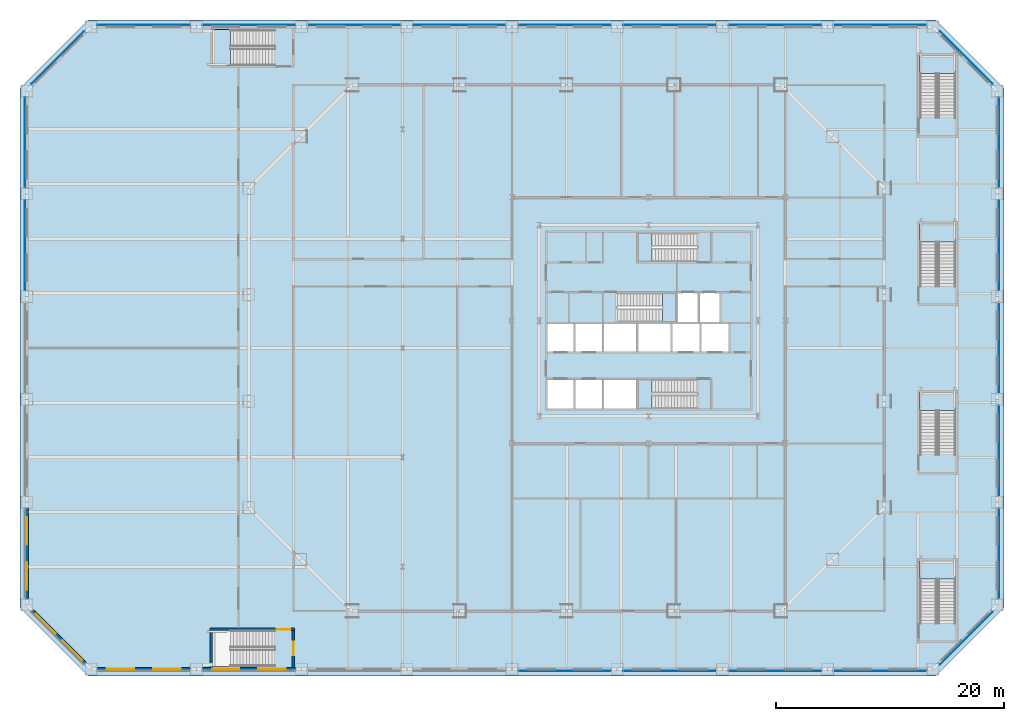
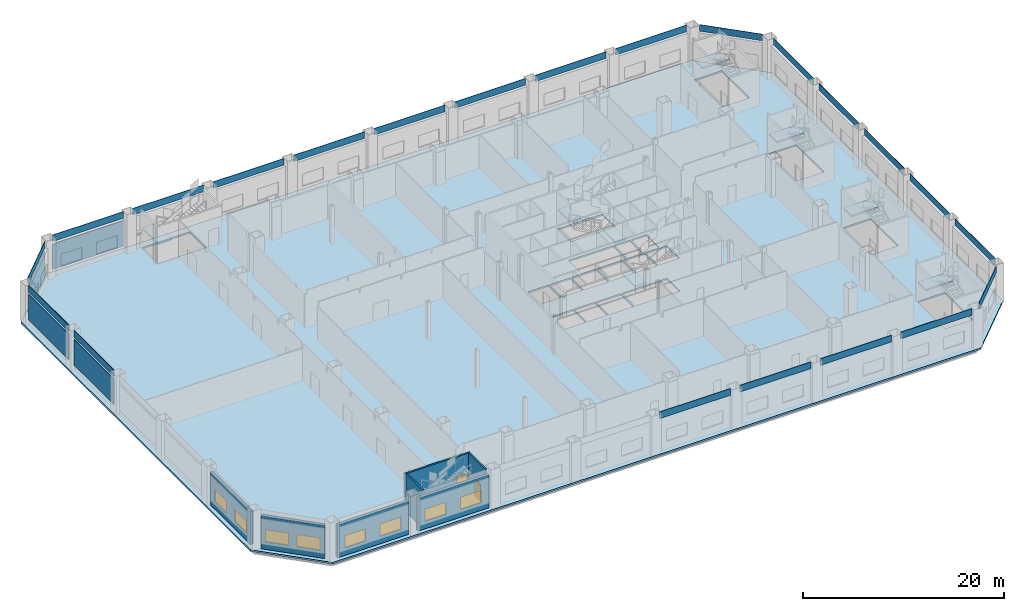
# One storey, part 11 of 26: 26 plates, 9 slabs, 8 windows, 7 walls, 2 doors, 10 openings, 8 elements without a shape of their own.
"""IFC4 building model written with IfcOpenShell, lengths in metres."""

from ifc_helpers import new_model, si_unit, direction, frame, frame_2d, origin, origin_2d, place, context, subcontext, project, spatial, polyline, rectangle, outline, extrude, material, layer, layer_set, type_object, element, fill, aggregate, save


model = new_model("IFC4")

# Units and contexts
model_context = context("Model", 3, precision=1e-05, world=origin(), true_north=direction((0.0, 1.0)))
body_context = subcontext(model_context, "Body", "Model", "MODEL_VIEW")
ifc_project = project(units=[si_unit("LENGTHUNIT", "METRE"), si_unit("AREAUNIT", "SQUARE_METRE"), si_unit("VOLUMEUNIT", "CUBIC_METRE"), si_unit("PLANEANGLEUNIT", "RADIAN"), si_unit("MASSUNIT", "GRAM", prefix="KILO")], contexts=[model_context])

# Site, building, storey
site_placement = place(None, origin())
site = spatial("IfcSite", under=ifc_project, at=site_placement, CompositionType="ELEMENT")
building_placement = place(site_placement, origin())
building = spatial("IfcBuilding", under=site, at=building_placement, Name="Cairn Pilgrim Tower", CompositionType="ELEMENT")
storey_placement = place(building_placement, frame((0.0, 0.0, 21.0)))
storey = spatial("IfcBuildingStorey", under=building, at=storey_placement, Name="L03", CompositionType="ELEMENT", Elevation=21.0)

# Plates
ifc_material_1 = material(Name="Bronze anodised aluminium", Category="aluminium")
ifc_layer_1 = layer(ifc_material_1, 0.050048828125)
ifc_layer_set_1 = layer_set([ifc_layer_1], Name="BRONZE FASCIA PANEL 50")
plate_type_1 = type_object("IfcPlateType", Name="BRONZE FASCIA PANEL 50", PredefinedType="SHEET", material=ifc_layer_set_1)
for number, where, z_axis, x_axis, name in (
    (1, (-0.18115234375, -28.375, 4.0), (0.0, 0.0, 1.0), (1.0, 0.0, 0.0), "FASCIA"),
    (2, (9.056884765625, -28.375, 4.0), (0.0, 0.0, 1.0), (1.0, 0.0, 0.0), "FASCIA"),
    (3, (18.294677734375, -28.375, 4.0), (0.0, 0.0, 1.0), (1.0, 0.0, 0.0), "FASCIA"),
    (4, (27.532470703125, -28.375, 4.0), (0.0, 0.0, 1.0), (1.0, 0.0, 0.0), "FASCIA"),
):
    element("IfcPlate", number, at=place(storey_placement, frame(where, z_axis=z_axis, x_axis=x_axis)), inside=storey, type_object=plate_type_1, Name=name, PredefinedType="SHEET", context=body_context, shape_type="SweptSolid", body=[
        extrude(rectangle(XDim=8.137939453125, YDim=0.050048828125, at=origin_2d()), origin(), (0.0, 0.0, 1.0), 0.800048828125),
    ])
plate_1_placement = place(storey_placement, frame((35.099609375, -25.49951171875, 4.0), z_axis=(0.0, 0.0, 1.0), x_axis=(0.707106781187, 0.707106781187, 0.0)))
element("IfcPlate", 5, at=plate_1_placement, inside=storey, type_object=plate_type_1, Name="FASCIA", PredefinedType="SHEET", context=body_context, shape_type="SweptSolid", body=[
    extrude(rectangle(XDim=6.50830078125, YDim=0.050048828125, at=origin_2d()), origin(), (0.0, 0.0, 1.0), 0.800048828125),
])
for number, where, z_axis, x_axis, name in (
    (6, (37.97509765625, -18.041259765625, 4.0), (0.0, 0.0, 1.0), (0.0, 1.0, 0.0), "FASCIA"),
    (7, (37.97509765625, -9.0205078125, 4.0), (0.0, 0.0, 1.0), (0.0, 1.0, 0.0), "FASCIA"),
    (8, (37.97509765625, 0.0, 4.0), (0.0, 0.0, 1.0), (0.0, 1.0, 0.0), "FASCIA"),
    (9, (37.97509765625, 9.0205078125, 4.0), (0.0, 0.0, 1.0), (0.0, 1.0, 0.0), "FASCIA"),
    (10, (37.97509765625, 18.041259765625, 4.0), (0.0, 0.0, 1.0), (0.0, 1.0, 0.0), "FASCIA"),
):
    element("IfcPlate", number, at=place(storey_placement, frame(where, z_axis=z_axis, x_axis=x_axis)), inside=storey, type_object=plate_type_1, Name=name, PredefinedType="SHEET", context=body_context, shape_type="SweptSolid", body=[
        extrude(rectangle(XDim=7.920654296875, YDim=0.050048828125, at=origin_2d()), origin(), (0.0, 0.0, 1.0), 0.800048828125),
    ])
plate_2_placement = place(storey_placement, frame((35.099609375, 25.49951171875, 4.0), z_axis=(0.0, 0.0, 1.0), x_axis=(-0.707106781187, 0.707106781187, 0.0)))
element("IfcPlate", 11, at=plate_2_placement, inside=storey, type_object=plate_type_1, Name="FASCIA", PredefinedType="SHEET", context=body_context, shape_type="SweptSolid", body=[
    extrude(rectangle(XDim=6.50830078125, YDim=0.050048828125, at=origin_2d()), origin(), (0.0, 0.0, 1.0), 0.800048828125),
])
for number, where, z_axis, x_axis, name in (
    (12, (27.532470703125, 28.375, 4.0), (0.0, 0.0, 1.0), (-1.0, 0.0, 0.0), "FASCIA"),
    (13, (18.294677734375, 28.375, 4.0), (0.0, 0.0, 1.0), (-1.0, 0.0, 0.0), "FASCIA"),
    (14, (9.056884765625, 28.375, 4.0), (0.0, 0.0, 1.0), (-1.0, 0.0, 0.0), "FASCIA"),
    (15, (-0.18115234375, 28.375, 4.0), (0.0, 0.0, 1.0), (-1.0, 0.0, 0.0), "FASCIA"),
    (16, (-9.4189453125, 28.375, 4.0), (0.0, 0.0, 1.0), (-1.0, 0.0, 0.0), "FASCIA"),
    (17, (-18.65673828125, 28.375, 4.0), (0.0, 0.0, 1.0), (-1.0, 0.0, 0.0), "FASCIA"),
    (18, (-27.894775390625, 28.375, 4.0), (0.0, 0.0, 1.0), (-1.0, 0.0, 0.0), "FASCIA"),
    (19, (-37.132568359375, 28.375, 4.0), (0.0, 0.0, 1.0), (-1.0, 0.0, 0.0), "FASCIA"),
):
    element("IfcPlate", number, at=place(storey_placement, frame(where, z_axis=z_axis, x_axis=x_axis)), inside=storey, type_object=plate_type_1, Name=name, PredefinedType="SHEET", context=body_context, shape_type="SweptSolid", body=[
        extrude(rectangle(XDim=8.137939453125, YDim=0.050048828125, at=origin_2d()), origin(), (0.0, 0.0, 1.0), 0.800048828125),
    ])
plate_3_placement = place(storey_placement, frame((-44.699462890625, 25.49951171875, 4.0), z_axis=(0.0, 0.0, 1.0), x_axis=(-0.707106781187, -0.707106781187, 0.0)))
element("IfcPlate", 20, at=plate_3_placement, inside=storey, type_object=plate_type_1, Name="FASCIA", PredefinedType="SHEET", context=body_context, shape_type="SweptSolid", body=[
    extrude(rectangle(XDim=6.50830078125, YDim=0.050048828125, at=origin_2d()), origin(), (0.0, 0.0, 1.0), 0.800048828125),
])
for number, where, z_axis, x_axis, name in (
    (21, (-47.574951171875, 18.041259765625, 4.0), (0.0, 0.0, 1.0), (0.0, -1.0, 0.0), "FASCIA"),
    (22, (-47.574951171875, 9.0205078125, 4.0), (0.0, 0.0, 1.0), (0.0, -1.0, 0.0), "FASCIA"),
):
    element("IfcPlate", number, at=place(storey_placement, frame(where, z_axis=z_axis, x_axis=x_axis)), inside=storey, type_object=plate_type_1, Name=name, PredefinedType="SHEET", context=body_context, shape_type="SweptSolid", body=[
        extrude(rectangle(XDim=7.920654296875, YDim=0.050048828125, at=origin_2d()), origin(), (0.0, 0.0, 1.0), 0.800048828125),
    ])
ifc_material_2 = material(Name="Perforated bronze anodised aluminium", Category="aluminium")
ifc_layer_2 = layer(ifc_material_2, 0.050048828125)
ifc_layer_set_2 = layer_set([ifc_layer_2], Name="COBOGO SCREEN 50 BRONZE")
plate_type_2 = type_object("IfcPlateType", Name="COBOGO SCREEN 50 BRONZE", PredefinedType="SHEET", material=ifc_layer_set_2)
plate_4_placement = place(storey_placement, frame((-37.132568359375, 28.375, 0.599853515625), z_axis=(0.0, 0.0, 1.0), x_axis=(-1.0, 0.0, 0.0)))
element("IfcPlate", 23, at=plate_4_placement, inside=storey, type_object=plate_type_2, Name="SCREEN", PredefinedType="SHEET", context=body_context, shape_type="SweptSolid", body=[
    extrude(rectangle(XDim=8.137939453125, YDim=0.050048828125, at=origin_2d()), origin(), (0.0, 0.0, 1.0), 3.10009765625),
])
plate_5_placement = place(storey_placement, frame((-44.699462890625, 25.49951171875, 0.599853515625), z_axis=(0.0, 0.0, 1.0), x_axis=(-0.707106781187, -0.707106781187, 0.0)))
element("IfcPlate", 24, at=plate_5_placement, inside=storey, type_object=plate_type_2, Name="SCREEN", PredefinedType="SHEET", context=body_context, shape_type="SweptSolid", body=[
    extrude(rectangle(XDim=6.50830078125, YDim=0.050048828125, at=origin_2d()), origin(), (0.0, 0.0, 1.0), 3.10009765625),
])
for number, where, z_axis, x_axis, name in (
    (25, (-47.574951171875, 18.041259765625, 0.599853515625), (0.0, 0.0, 1.0), (0.0, -1.0, 0.0), "SCREEN"),
    (26, (-47.574951171875, 9.0205078125, 0.599853515625), (0.0, 0.0, 1.0), (0.0, -1.0, 0.0), "SCREEN"),
):
    element("IfcPlate", number, at=place(storey_placement, frame(where, z_axis=z_axis, x_axis=x_axis)), inside=storey, type_object=plate_type_2, Name=name, PredefinedType="SHEET", context=body_context, shape_type="SweptSolid", body=[
        extrude(rectangle(XDim=7.920654296875, YDim=0.050048828125, at=origin_2d()), origin(), (0.0, 0.0, 1.0), 3.10009765625),
    ])

# Slab
ifc_material_3 = material(Name="Concrete C35/45", Category="concrete")
ifc_layer_3 = layer(ifc_material_3, 0.199951171875)
ifc_layer_set_3 = layer_set([ifc_layer_3], Name="PODIUM COMPOSITE SLAB 200")
slab_type_1 = type_object("IfcSlabType", Name="PODIUM COMPOSITE SLAB 200", PredefinedType="FLOOR", material=ifc_layer_set_3)
slab_1_placement = place(storey_placement, frame((0.0, 0.0, -0.199951171875)))
element("IfcSlab", 27, at=slab_1_placement, inside=storey, type_object=slab_type_1, Name="PODIUM FLOOR SLAB L03", PredefinedType="FLOOR", context=body_context, shape_type="SweptSolid", body=[
    extrude(outline(polyline([(-42.0, 28.800048828125), (-48.0, 22.800048828125), (-48.0, -22.800048828125), (-42.0, -28.800048828125), (32.39990234375, -28.800048828125), (38.39990234375, -22.800048828125), (38.39990234375, 22.800048828125), (32.39990234375, 28.800048828125), (-42.0, 28.800048828125)]), holes=[polyline([(-1.72509765625, -2.77490234375), (0.625, -2.77490234375), (0.625, -5.300048828125), (-1.72509765625, -5.300048828125), (-1.72509765625, -2.77490234375)]), polyline([(3.125, -2.77490234375), (3.125, -5.300048828125), (0.77490234375, -5.300048828125), (0.77490234375, -2.77490234375), (3.125, -2.77490234375)]), polyline([(0.625, -0.324951171875), (-1.72509765625, -0.324951171875), (-1.72509765625, 2.125), (0.625, 2.125), (0.625, -0.324951171875)]), polyline([(0.77490234375, -0.324951171875), (0.77490234375, 2.125), (3.125, 2.125), (3.125, -0.324951171875), (0.77490234375, -0.324951171875)]), polyline([(3.27490234375, -2.77490234375), (6.125, -2.77490234375), (6.125, -5.300048828125), (3.27490234375, -5.300048828125), (3.27490234375, -2.77490234375)]), polyline([(6.125, 2.125), (6.125, -0.324951171875), (3.27490234375, -0.324951171875), (3.27490234375, 2.125), (6.125, 2.125)]), polyline([(9.125, -0.324951171875), (6.27490234375, -0.324951171875), (6.27490234375, 2.125), (9.125, 2.125), (9.125, -0.324951171875)]), polyline([(9.27490234375, -0.324951171875), (9.27490234375, 2.125), (11.675048828125, 2.125), (11.675048828125, -0.324951171875), (9.27490234375, -0.324951171875)]), polyline([(11.824951171875, 2.125), (14.22509765625, 2.125), (14.22509765625, -0.324951171875), (11.824951171875, -0.324951171875), (11.824951171875, 2.125)]), polyline([(11.52490234375, 4.824951171875), (11.52490234375, 2.27490234375), (9.77490234375, 2.27490234375), (9.77490234375, 4.824951171875), (11.52490234375, 4.824951171875)]), polyline([(13.425048828125, 2.27490234375), (11.675048828125, 2.27490234375), (11.675048828125, 4.824951171875), (13.425048828125, 4.824951171875), (13.425048828125, 2.27490234375)]), polyline([(11.424560546875, -2.77490234375), (11.424560546875, -5.300048828125), (6.27490234375, -5.300048828125), (6.27490234375, -2.77490234375), (11.424560546875, -2.77490234375)]), polyline([(4.4755859375, 4.824951171875), (9.625, 4.824951171875), (9.625, 2.27490234375), (4.4755859375, 2.27490234375), (4.4755859375, 4.824951171875)]), polyline([(6.27490234375, 7.574951171875), (6.27490234375, 10.10009765625), (11.424560546875, 10.10009765625), (11.424560546875, 7.574951171875), (6.27490234375, 7.574951171875)]), polyline([(-31.10009765625, 27.949951171875), (-25.650390625, 27.949951171875), (-25.650390625, 24.800048828125), (-31.10009765625, 24.800048828125), (-31.10009765625, 27.949951171875)]), polyline([(-25.650390625, -24.800048828125), (-25.650390625, -27.949951171875), (-31.10009765625, -27.949951171875), (-31.10009765625, -24.800048828125), (-25.650390625, -24.800048828125)]), polyline([(31.0, -24.1494140625), (31.0, -18.699951171875), (34.14990234375, -18.699951171875), (34.14990234375, -24.1494140625), (31.0, -24.1494140625)]), polyline([(31.0, -3.89990234375), (34.14990234375, -3.89990234375), (34.14990234375, -9.349609375), (31.0, -9.349609375), (31.0, -3.89990234375)]), polyline([(34.14990234375, 10.89990234375), (34.14990234375, 5.450439453125), (31.0, 5.450439453125), (31.0, 10.89990234375), (34.14990234375, 10.89990234375)]), polyline([(34.14990234375, 20.25048828125), (31.0, 20.25048828125), (31.0, 25.699951171875), (34.14990234375, 25.699951171875), (34.14990234375, 20.25048828125)])]), origin(), (0.0, 0.0, 1.0), 0.199951171875),
])

# Stair, slab
stair_type_1 = type_object("IfcStairType", Name="PODIUM EXIT STAIR 1500", PredefinedType="HALF_TURN_STAIR", material=ifc_material_3)
stair_1_placement = place(storey_placement, origin())
stair_1 = element("IfcStair", 28, at=stair_1_placement, inside=storey, type_object=stair_type_1, Name="L03 Exit Stair Hn", PredefinedType="HALF_TURN_STAIR")
ifc_layer_4 = layer(ifc_material_3, 0.199951171875)
ifc_layer_set_4 = layer_set([ifc_layer_4], Name="PODIUM STAIR LANDING 200")
slab_type_2 = type_object("IfcSlabType", Name="PODIUM STAIR LANDING 200", PredefinedType="LANDING", material=ifc_layer_set_4)
slab_2_placement = place(storey_placement, frame((0.0, 0.0, 2.199951171875)))
slab_2 = element("IfcSlab", 29, at=slab_2_placement, type_object=slab_type_2, Name="ST-HN landing 1", PredefinedType="LANDING", context=body_context, shape_type="SweptSolid", body=[
    extrude(outline(polyline([(-29.52001953125, 27.949951171875), (-31.10009765625, 27.949951171875), (-31.10009765625, 24.800048828125), (-29.52001953125, 24.800048828125), (-29.52001953125, 27.949951171875)])), origin(), (0.0, 0.0, 1.0), 0.199951171875),
])
aggregate(stair_1, [slab_2])

stair_2_placement = place(storey_placement, origin())
stair_2 = element("IfcStair", 30, at=stair_2_placement, inside=storey, type_object=stair_type_1, Name="L03 Exit Stair Es1", PredefinedType="HALF_TURN_STAIR")
slab_3_placement = place(storey_placement, frame((0.0, 0.0, 2.199951171875)))
slab_3 = element("IfcSlab", 31, at=slab_3_placement, type_object=slab_type_2, Name="ST-ES1 landing 1", PredefinedType="LANDING", context=body_context, shape_type="SweptSolid", body=[
    extrude(outline(polyline([(34.14990234375, -20.280029296875), (34.14990234375, -18.699951171875), (31.0, -18.699951171875), (31.0, -20.280029296875), (34.14990234375, -20.280029296875)])), origin(), (0.0, 0.0, 1.0), 0.199951171875),
])
aggregate(stair_2, [slab_3])

stair_3_placement = place(storey_placement, origin())
stair_3 = element("IfcStair", 32, at=stair_3_placement, inside=storey, type_object=stair_type_1, Name="L03 Exit Stair Es2", PredefinedType="HALF_TURN_STAIR")
slab_4_placement = place(storey_placement, frame((0.0, 0.0, 2.199951171875)))
slab_4 = element("IfcSlab", 33, at=slab_4_placement, type_object=slab_type_2, Name="ST-ES2 landing 1", PredefinedType="LANDING", context=body_context, shape_type="SweptSolid", body=[
    extrude(outline(polyline([(34.14990234375, -5.47998046875), (34.14990234375, -3.89990234375), (31.0, -3.89990234375), (31.0, -5.47998046875), (34.14990234375, -5.47998046875)])), origin(), (0.0, 0.0, 1.0), 0.199951171875),
])
aggregate(stair_3, [slab_4])

stair_4_placement = place(storey_placement, origin())
stair_4 = element("IfcStair", 34, at=stair_4_placement, inside=storey, type_object=stair_type_1, Name="L03 Exit Stair Es3", PredefinedType="HALF_TURN_STAIR")
slab_5_placement = place(storey_placement, frame((0.0, 0.0, 2.199951171875)))
slab_5 = element("IfcSlab", 35, at=slab_5_placement, type_object=slab_type_2, Name="ST-ES3 landing 1", PredefinedType="LANDING", context=body_context, shape_type="SweptSolid", body=[
    extrude(outline(polyline([(34.14990234375, 9.320068359375), (34.14990234375, 10.89990234375), (31.0, 10.89990234375), (31.0, 9.320068359375), (34.14990234375, 9.320068359375)])), origin(), (0.0, 0.0, 1.0), 0.199951171875),
])
aggregate(stair_4, [slab_5])

stair_5_placement = place(storey_placement, origin())
stair_5 = element("IfcStair", 36, at=stair_5_placement, inside=storey, type_object=stair_type_1, Name="L03 Exit Stair Es4", PredefinedType="HALF_TURN_STAIR")
slab_6_placement = place(storey_placement, frame((0.0, 0.0, 2.199951171875)))
slab_6 = element("IfcSlab", 37, at=slab_6_placement, type_object=slab_type_2, Name="ST-ES4 landing 1", PredefinedType="LANDING", context=body_context, shape_type="SweptSolid", body=[
    extrude(outline(polyline([(34.14990234375, 24.1201171875), (34.14990234375, 25.699951171875), (31.0, 25.699951171875), (31.0, 24.1201171875), (34.14990234375, 24.1201171875)])), origin(), (0.0, 0.0, 1.0), 0.199951171875),
])
aggregate(stair_5, [slab_6])

ifc_material_4 = material(Name="Concrete C32/40", Category="concrete")
stair_type_2 = type_object("IfcStairType", Name="EXIT STAIR 1200", PredefinedType="HALF_TURN_STAIR", material=ifc_material_4)
stair_6_placement = place(storey_placement, origin())
stair_6 = element("IfcStair", 38, at=stair_6_placement, inside=storey, type_object=stair_type_2, Name="L03 Exit Stair A", PredefinedType="HALF_TURN_STAIR")
ifc_layer_5 = layer(ifc_material_4, 0.199951171875)
ifc_layer_set_5 = layer_set([ifc_layer_5], Name="STAIR LANDING 200")
slab_type_3 = type_object("IfcSlabType", Name="STAIR LANDING 200", PredefinedType="LANDING", material=ifc_layer_set_5)
slab_7_placement = place(storey_placement, frame((0.0, 0.0, 2.199951171875)))
slab_7 = element("IfcSlab", 39, at=slab_7_placement, type_object=slab_type_3, Name="ST-A landing 1", PredefinedType="LANDING", context=body_context, shape_type="SweptSolid", body=[
    extrude(outline(polyline([(7.5048828125, -2.77490234375), (6.27490234375, -2.77490234375), (6.27490234375, -5.300048828125), (7.5048828125, -5.300048828125), (7.5048828125, -2.77490234375)])), origin(), (0.0, 0.0, 1.0), 0.199951171875),
])
aggregate(stair_6, [slab_7])

stair_7_placement = place(storey_placement, origin())
stair_7 = element("IfcStair", 40, at=stair_7_placement, inside=storey, type_object=stair_type_2, Name="L03 Exit Stair B", PredefinedType="HALF_TURN_STAIR")
slab_8_placement = place(storey_placement, frame((0.0, 0.0, 2.199951171875)))
slab_8 = element("IfcSlab", 41, at=slab_8_placement, type_object=slab_type_3, Name="ST-B landing 1", PredefinedType="LANDING", context=body_context, shape_type="SweptSolid", body=[
    extrude(outline(polyline([(8.39501953125, 2.27490234375), (9.625, 2.27490234375), (9.625, 4.824951171875), (8.39501953125, 4.824951171875), (8.39501953125, 2.27490234375)])), origin(), (0.0, 0.0, 1.0), 0.199951171875),
])
aggregate(stair_7, [slab_8])

stair_8_placement = place(storey_placement, origin())
stair_8 = element("IfcStair", 42, at=stair_8_placement, inside=storey, type_object=stair_type_2, Name="L03 Exit Stair C", PredefinedType="HALF_TURN_STAIR")
slab_9_placement = place(storey_placement, frame((0.0, 0.0, 2.199951171875)))
slab_9 = element("IfcSlab", 43, at=slab_9_placement, type_object=slab_type_3, Name="ST-C landing 1", PredefinedType="LANDING", context=body_context, shape_type="SweptSolid", body=[
    extrude(outline(polyline([(7.5048828125, 10.10009765625), (6.27490234375, 10.10009765625), (6.27490234375, 7.574951171875), (7.5048828125, 7.574951171875), (7.5048828125, 10.10009765625)])), origin(), (0.0, 0.0, 1.0), 0.199951171875),
])
aggregate(stair_8, [slab_9])

# Wall
ifc_layer_6 = layer(ifc_material_3, 0.199951171875)
ifc_layer_set_6 = layer_set([ifc_layer_6], Name="PODIUM STAIR WALL 200 EI 120")
wall_type_1 = type_object("IfcWallType", Name="PODIUM STAIR WALL 200 EI 120", PredefinedType="SOLIDWALL", material=ifc_layer_set_6)
wall_1_placement = place(storey_placement, frame((-31.199951171875, -28.050048828125, 0.0), z_axis=(0.0, 0.0, 1.0), x_axis=(0.0, 1.0, 0.0)))
element("IfcWall", 44, at=wall_1_placement, inside=storey, type_object=wall_type_1, Name="STAIR SHAFT WALL W001", PredefinedType="SOLIDWALL", context=body_context, shape_type="SweptSolid", body=[
    extrude(rectangle(XDim=3.25, YDim=0.199951171875, at=frame_2d((1.625, 0.0))), origin(), (0.0, 0.0, 1.0), 4.60009765625),
])

# Wall, opening, door
wall_2_placement = place(storey_placement, frame((-24.0, -28.050048828125, 0.0), z_axis=(0.0, 0.0, 1.0), x_axis=(0.0, 1.0, 0.0)))
wall_2 = element("IfcWall", 45, at=wall_2_placement, inside=storey, type_object=wall_type_1, Name="STAIR SHAFT WALL W002", PredefinedType="SOLIDWALL", context=body_context, shape_type="SweptSolid", body=[
    extrude(rectangle(XDim=3.25, YDim=0.199951171875, at=frame_2d((1.625, 0.0))), origin(), (0.0, 0.0, 1.0), 4.60009765625),
])
opening_1_placement = place(wall_2_placement, frame((1.050048828125, 0.0, 0.0)))
opening_1 = element("IfcOpeningElement", 46, at=opening_1_placement, cuts=wall_2, Name="Opening 0324", PredefinedType="OPENING", context=body_context, shape_type="SweptSolid", body=[
    extrude(rectangle(XDim=1.199951171875, YDim=2.10009765625, at=frame_2d((0.60009765625, 1.050048828125))), frame((0.0, 0.10986328125, 0.0), z_axis=(0.0, -1.0, 0.0), x_axis=(1.0, 0.0, 0.0)), (0.0, 0.0, 1.0), 0.219970703125),
])
ifc_material_5 = material(Name="Steel-faced fire door leaf", Category="steel")
door_type = type_object("IfcDoorType", Name="FIRE DOOR 1200x2100 FD60S", OperationType="NOTDEFINED", PredefinedType="DOOR", material=ifc_material_5)
door_1_placement = place(opening_1_placement, origin())
door_1 = element("IfcDoor", 47, at=door_1_placement, inside=storey, type_object=door_type, Name="DOOR 0324", OperationType="SINGLE_SWING_RIGHT", OverallHeight=2.10009765625, OverallWidth=1.199951171875, PredefinedType="DOOR", context=body_context, shape_type="SweptSolid", body=[
    extrude(rectangle(XDim=1.199951171875, YDim=2.10009765625, at=frame_2d((0.60009765625, 1.050048828125))), frame((0.0, 0.02490234375, 0.0), z_axis=(0.0, -1.0, 0.0), x_axis=(1.0, 0.0, 0.0)), (0.0, 0.0, 1.0), 0.050048828125),
])
fill(opening_1, door_1)

wall_3_placement = place(storey_placement, frame((-31.300048828125, -24.699951171875, 0.0), z_axis=(0.0, 0.0, 1.0), x_axis=(1.0, 0.0, 0.0)))
wall_3 = element("IfcWall", 48, at=wall_3_placement, inside=storey, type_object=wall_type_1, Name="STAIR SHAFT WALL W006", PredefinedType="SOLIDWALL", context=body_context, shape_type="SweptSolid", body=[
    extrude(rectangle(XDim=7.400146484375, YDim=0.199951171875, at=frame_2d((3.7001953125, 0.0))), origin(), (0.0, 0.0, 1.0), 4.60009765625),
])
opening_2_placement = place(wall_3_placement, frame((5.85009765625, 0.0, 0.0)))
opening_2 = element("IfcOpeningElement", 49, at=opening_2_placement, cuts=wall_3, Name="Opening 0323", PredefinedType="OPENING", context=body_context, shape_type="SweptSolid", body=[
    extrude(rectangle(XDim=1.199951171875, YDim=2.10009765625, at=frame_2d((0.60009765625, 1.050048828125))), frame((0.0, 0.10986328125, 0.0), z_axis=(0.0, -1.0, 0.0), x_axis=(1.0, 0.0, 0.0)), (0.0, 0.0, 1.0), 0.219970703125),
])
door_2_placement = place(opening_2_placement, frame((1.199951171875, 0.0, 0.0), z_axis=(0.0, 0.0, 1.0), x_axis=(-1.0, 0.0, 0.0)))
door_2 = element("IfcDoor", 50, at=door_2_placement, inside=storey, type_object=door_type, Name="DOOR 0323", OperationType="SINGLE_SWING_LEFT", OverallHeight=2.10009765625, OverallWidth=1.199951171875, PredefinedType="DOOR", context=body_context, shape_type="SweptSolid", body=[
    extrude(rectangle(XDim=1.199951171875, YDim=2.10009765625, at=frame_2d((0.60009765625, 1.050048828125))), frame((0.0, 0.02490234375, 0.0), z_axis=(0.0, -1.0, 0.0), x_axis=(1.0, 0.0, 0.0)), (0.0, 0.0, 1.0), 0.050048828125),
])
fill(opening_2, door_2)

# Wall, openings, windows
ifc_material_6 = material(Name="Concrete C35/45 backup wall with bronze aluminium cladding", Category="concrete")
ifc_layer_7 = layer(ifc_material_6, 0.300048828125)
ifc_layer_set_7 = layer_set([ifc_layer_7], Name="PODIUM WALL 300 BRONZE-CLAD")
wall_type_2 = type_object("IfcWallType", Name="PODIUM WALL 300 BRONZE-CLAD", PredefinedType="SOLIDWALL", material=ifc_layer_set_7)
wall_4_placement = place(storey_placement, frame((-41.201416015625, -28.199951171875, 0.0), z_axis=(0.0, 0.0, 1.0), x_axis=(1.0, 0.0, 0.0)))
wall_4 = element("IfcWall", 51, at=wall_4_placement, inside=storey, type_object=wall_type_2, Name="PODIUM EXTERNAL WALL S1-S2", PredefinedType="SOLIDWALL", context=body_context, shape_type="SweptSolid", body=[
    extrude(rectangle(XDim=8.1376953125, YDim=0.300048828125, at=frame_2d((4.06884765625, 0.0))), origin(), (0.0, 0.0, 1.0), 4.0),
])
opening_3_placement = place(wall_4_placement, frame((0.83447265625, 0.0, 0.89990234375)))
opening_3 = element("IfcOpeningElement", 52, at=opening_3_placement, cuts=wall_4, Name="Opening PW15", PredefinedType="OPENING", context=body_context, shape_type="SweptSolid", body=[
    extrude(rectangle(XDim=2.39990234375, YDim=1.5, at=frame_2d((1.199951171875, 0.75))), frame((0.0, 0.16015625, 0.0), z_axis=(0.0, -1.0, 0.0), x_axis=(1.0, 0.0, 0.0)), (0.0, 0.0, 1.0), 0.320068359375),
])
opening_4_placement = place(wall_4_placement, frame((4.9033203125, 0.0, 0.89990234375)))
opening_4 = element("IfcOpeningElement", 53, at=opening_4_placement, cuts=wall_4, Name="Opening PW15", PredefinedType="OPENING", context=body_context, shape_type="SweptSolid", body=[
    extrude(rectangle(XDim=2.39990234375, YDim=1.5, at=frame_2d((1.199951171875, 0.75))), frame((0.0, 0.16015625, 0.0), z_axis=(0.0, -1.0, 0.0), x_axis=(1.0, 0.0, 0.0)), (0.0, 0.0, 1.0), 0.320068359375),
])
ifc_material_7 = material(Name="Bronze anodised aluminium frame with tinted low-E glass", Category="aluminium")
window_type = type_object("IfcWindowType", Name="PODIUM FIXED WINDOW 2400x1500", PartitioningType="SINGLE_PANEL", PredefinedType="WINDOW", material=ifc_material_7)
window_1_placement = place(opening_3_placement, origin())
window_1 = element("IfcWindow", 54, at=window_1_placement, inside=storey, type_object=window_type, Name="PODIUM WINDOW", OverallHeight=1.5, OverallWidth=2.39990234375, PartitioningType="SINGLE_PANEL", PredefinedType="WINDOW", context=body_context, shape_type="SweptSolid", body=[
    extrude(rectangle(XDim=2.39990234375, YDim=1.5, at=frame_2d((1.199951171875, 0.75))), frame((0.0, 0.030029296875, 0.0), z_axis=(0.0, -1.0, 0.0), x_axis=(1.0, 0.0, 0.0)), (0.0, 0.0, 1.0), 0.06005859375),
])
fill(opening_3, window_1)
window_2_placement = place(opening_4_placement, origin())
window_2 = element("IfcWindow", 55, at=window_2_placement, inside=storey, type_object=window_type, Name="PODIUM WINDOW", OverallHeight=1.5, OverallWidth=2.39990234375, PartitioningType="SINGLE_PANEL", PredefinedType="WINDOW", context=body_context, shape_type="SweptSolid", body=[
    extrude(rectangle(XDim=2.39990234375, YDim=1.5, at=frame_2d((1.199951171875, 0.75))), frame((0.0, 0.030029296875, 0.0), z_axis=(0.0, -1.0, 0.0), x_axis=(1.0, 0.0, 0.0)), (0.0, 0.0, 1.0), 0.06005859375),
])
fill(opening_4, window_2)

wall_5_placement = place(storey_placement, frame((-31.963623046875, -28.199951171875, 0.0), z_axis=(0.0, 0.0, 1.0), x_axis=(1.0, 0.0, 0.0)))
wall_5 = element("IfcWall", 56, at=wall_5_placement, inside=storey, type_object=wall_type_2, Name="PODIUM EXTERNAL WALL S2-S3", PredefinedType="SOLIDWALL", context=body_context, shape_type="SweptSolid", body=[
    extrude(rectangle(XDim=8.137939453125, YDim=0.300048828125, at=frame_2d((4.06884765625, 0.0))), origin(), (0.0, 0.0, 1.0), 4.0),
])
opening_5_placement = place(wall_5_placement, frame((0.83447265625, 0.0, 0.89990234375)))
opening_5 = element("IfcOpeningElement", 57, at=opening_5_placement, cuts=wall_5, Name="Opening PW15", PredefinedType="OPENING", context=body_context, shape_type="SweptSolid", body=[
    extrude(rectangle(XDim=2.39990234375, YDim=1.5, at=frame_2d((1.199951171875, 0.75))), frame((0.0, 0.16015625, 0.0), z_axis=(0.0, -1.0, 0.0), x_axis=(1.0, 0.0, 0.0)), (0.0, 0.0, 1.0), 0.320068359375),
])
opening_6_placement = place(wall_5_placement, frame((4.9033203125, 0.0, 0.89990234375)))
opening_6 = element("IfcOpeningElement", 58, at=opening_6_placement, cuts=wall_5, Name="Opening PW15", PredefinedType="OPENING", context=body_context, shape_type="SweptSolid", body=[
    extrude(rectangle(XDim=2.39990234375, YDim=1.5, at=frame_2d((1.199951171875, 0.75))), frame((0.0, 0.16015625, 0.0), z_axis=(0.0, -1.0, 0.0), x_axis=(1.0, 0.0, 0.0)), (0.0, 0.0, 1.0), 0.320068359375),
])
window_3_placement = place(opening_5_placement, origin())
window_3 = element("IfcWindow", 59, at=window_3_placement, inside=storey, type_object=window_type, Name="PODIUM WINDOW", OverallHeight=1.5, OverallWidth=2.39990234375, PartitioningType="SINGLE_PANEL", PredefinedType="WINDOW", context=body_context, shape_type="SweptSolid", body=[
    extrude(rectangle(XDim=2.39990234375, YDim=1.5, at=frame_2d((1.199951171875, 0.75))), frame((0.0, 0.030029296875, 0.0), z_axis=(0.0, -1.0, 0.0), x_axis=(1.0, 0.0, 0.0)), (0.0, 0.0, 1.0), 0.06005859375),
])
fill(opening_5, window_3)
window_4_placement = place(opening_6_placement, origin())
window_4 = element("IfcWindow", 60, at=window_4_placement, inside=storey, type_object=window_type, Name="PODIUM WINDOW", OverallHeight=1.5, OverallWidth=2.39990234375, PartitioningType="SINGLE_PANEL", PredefinedType="WINDOW", context=body_context, shape_type="SweptSolid", body=[
    extrude(rectangle(XDim=2.39990234375, YDim=1.5, at=frame_2d((1.199951171875, 0.75))), frame((0.0, 0.030029296875, 0.0), z_axis=(0.0, -1.0, 0.0), x_axis=(1.0, 0.0, 0.0)), (0.0, 0.0, 1.0), 0.06005859375),
])
fill(opening_6, window_4)

wall_6_placement = place(storey_placement, frame((-47.39990234375, -14.080810546875, 0.0), z_axis=(0.0, 0.0, 1.0), x_axis=(0.0, -1.0, 0.0)))
wall_6 = element("IfcWall", 61, at=wall_6_placement, inside=storey, type_object=wall_type_2, Name="PODIUM EXTERNAL WALL W5-SW1", PredefinedType="SOLIDWALL", context=body_context, shape_type="SweptSolid", body=[
    extrude(rectangle(XDim=7.920654296875, YDim=0.300048828125, at=frame_2d((3.96044921875, 0.0))), origin(), (0.0, 0.0, 1.0), 4.0),
])
opening_7_placement = place(wall_6_placement, frame((0.780029296875, 0.0, 0.89990234375)))
opening_7 = element("IfcOpeningElement", 62, at=opening_7_placement, cuts=wall_6, Name="Opening PW15", PredefinedType="OPENING", context=body_context, shape_type="SweptSolid", body=[
    extrude(rectangle(XDim=2.39990234375, YDim=1.5, at=frame_2d((1.199951171875, 0.75))), frame((0.0, 0.16015625, 0.0), z_axis=(0.0, -1.0, 0.0), x_axis=(1.0, 0.0, 0.0)), (0.0, 0.0, 1.0), 0.320068359375),
])
opening_8_placement = place(wall_6_placement, frame((4.740478515625, 0.0, 0.89990234375)))
opening_8 = element("IfcOpeningElement", 63, at=opening_8_placement, cuts=wall_6, Name="Opening PW15", PredefinedType="OPENING", context=body_context, shape_type="SweptSolid", body=[
    extrude(rectangle(XDim=2.39990234375, YDim=1.5, at=frame_2d((1.199951171875, 0.75))), frame((0.0, 0.16015625, 0.0), z_axis=(0.0, -1.0, 0.0), x_axis=(1.0, 0.0, 0.0)), (0.0, 0.0, 1.0), 0.320068359375),
])
window_5_placement = place(opening_7_placement, origin())
window_5 = element("IfcWindow", 64, at=window_5_placement, inside=storey, type_object=window_type, Name="PODIUM WINDOW", OverallHeight=1.5, OverallWidth=2.39990234375, PartitioningType="SINGLE_PANEL", PredefinedType="WINDOW", context=body_context, shape_type="SweptSolid", body=[
    extrude(rectangle(XDim=2.39990234375, YDim=1.5, at=frame_2d((1.199951171875, 0.75))), frame((0.0, 0.030029296875, 0.0), z_axis=(0.0, -1.0, 0.0), x_axis=(1.0, 0.0, 0.0)), (0.0, 0.0, 1.0), 0.06005859375),
])
fill(opening_7, window_5)
window_6_placement = place(opening_8_placement, origin())
window_6 = element("IfcWindow", 65, at=window_6_placement, inside=storey, type_object=window_type, Name="PODIUM WINDOW", OverallHeight=1.5, OverallWidth=2.39990234375, PartitioningType="SINGLE_PANEL", PredefinedType="WINDOW", context=body_context, shape_type="SweptSolid", body=[
    extrude(rectangle(XDim=2.39990234375, YDim=1.5, at=frame_2d((1.199951171875, 0.75))), frame((0.0, 0.030029296875, 0.0), z_axis=(0.0, -1.0, 0.0), x_axis=(1.0, 0.0, 0.0)), (0.0, 0.0, 1.0), 0.06005859375),
])
fill(opening_8, window_6)

wall_7_placement = place(storey_placement, frame((-46.876708984375, -23.07470703125, 0.0), z_axis=(0.0, 0.0, 1.0), x_axis=(0.707106781187, -0.707106781187, 0.0)))
wall_7 = element("IfcWall", 66, at=wall_7_placement, inside=storey, type_object=wall_type_2, Name="PODIUM EXTERNAL WALL SW1-S1", PredefinedType="SOLIDWALL", context=body_context, shape_type="SweptSolid", body=[
    extrude(rectangle(XDim=6.50830078125, YDim=0.300048828125, at=frame_2d((3.254150390625, 0.0))), origin(), (0.0, 0.0, 1.0), 4.0),
])
opening_9_placement = place(wall_7_placement, frame((0.427001953125, 0.0, 0.89990234375)))
opening_9 = element("IfcOpeningElement", 67, at=opening_9_placement, cuts=wall_7, Name="Opening PW15", PredefinedType="OPENING", context=body_context, shape_type="SweptSolid", body=[
    extrude(rectangle(XDim=2.39990234375, YDim=1.5, at=frame_2d((1.199951171875, 0.75))), frame((0.0, 0.16015625, 0.0), z_axis=(0.0, -1.0, 0.0), x_axis=(1.0, 0.0, 0.0)), (0.0, 0.0, 1.0), 0.320068359375),
])
opening_10_placement = place(wall_7_placement, frame((3.68115234375, 0.0, 0.89990234375)))
opening_10 = element("IfcOpeningElement", 68, at=opening_10_placement, cuts=wall_7, Name="Opening PW15", PredefinedType="OPENING", context=body_context, shape_type="SweptSolid", body=[
    extrude(rectangle(XDim=2.39990234375, YDim=1.5, at=frame_2d((1.199951171875, 0.75))), frame((0.0, 0.16015625, 0.0), z_axis=(0.0, -1.0, 0.0), x_axis=(1.0, 0.0, 0.0)), (0.0, 0.0, 1.0), 0.320068359375),
])
window_7_placement = place(opening_9_placement, origin())
window_7 = element("IfcWindow", 69, at=window_7_placement, inside=storey, type_object=window_type, Name="PODIUM WINDOW", OverallHeight=1.5, OverallWidth=2.39990234375, PartitioningType="SINGLE_PANEL", PredefinedType="WINDOW", context=body_context, shape_type="SweptSolid", body=[
    extrude(rectangle(XDim=2.39990234375, YDim=1.5, at=frame_2d((1.199951171875, 0.75))), frame((0.0, 0.030029296875, 0.0), z_axis=(0.0, -1.0, 0.0), x_axis=(1.0, 0.0, 0.0)), (0.0, 0.0, 1.0), 0.06005859375),
])
fill(opening_9, window_7)
window_8_placement = place(opening_10_placement, origin())
window_8 = element("IfcWindow", 70, at=window_8_placement, inside=storey, type_object=window_type, Name="PODIUM WINDOW", OverallHeight=1.5, OverallWidth=2.39990234375, PartitioningType="SINGLE_PANEL", PredefinedType="WINDOW", context=body_context, shape_type="SweptSolid", body=[
    extrude(rectangle(XDim=2.39990234375, YDim=1.5, at=frame_2d((1.199951171875, 0.75))), frame((0.0, 0.030029296875, 0.0), z_axis=(0.0, -1.0, 0.0), x_axis=(1.0, 0.0, 0.0)), (0.0, 0.0, 1.0), 0.06005859375),
])
fill(opening_10, window_8)

save(model, "model.ifc")
